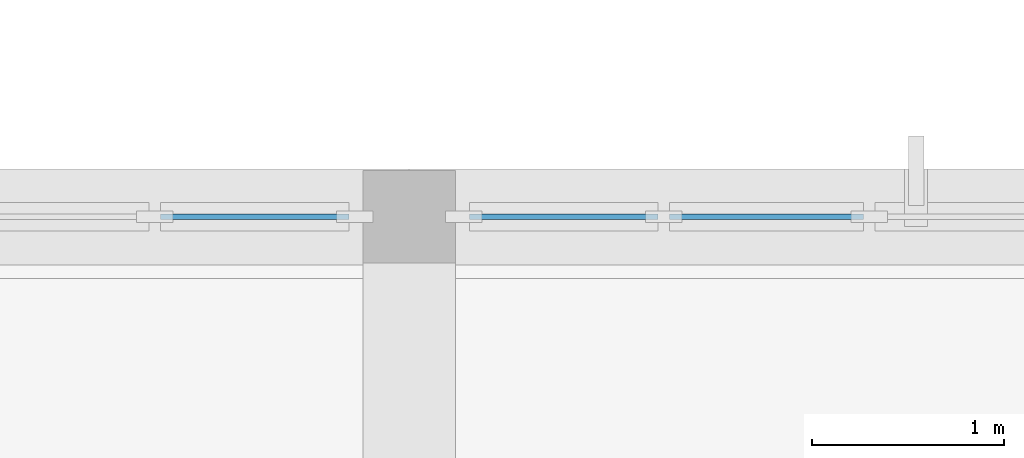
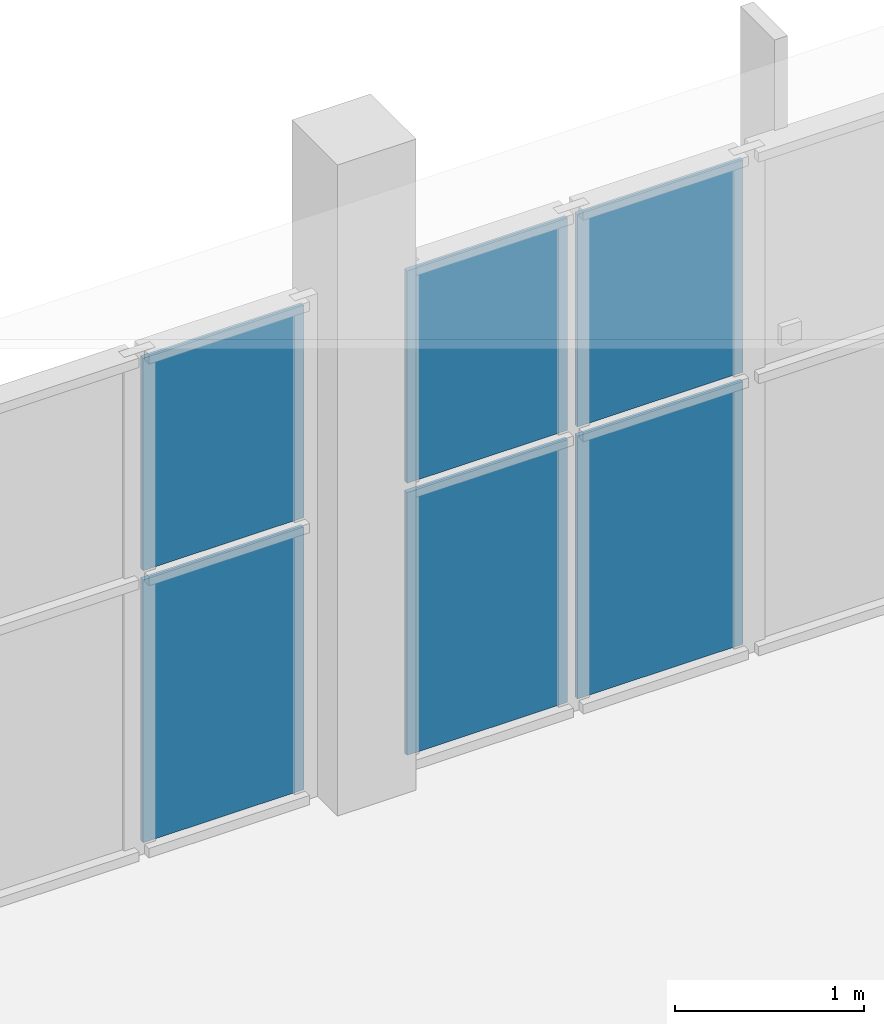
# One storey, part 43 of 70: 6 plates, 2 elements without a shape of their own.
"""IFC4 building model written with IfcOpenShell, lengths in metres."""

from ifc_helpers import new_model, si_unit, direction, frame, origin, origin_2d, place, context, subcontext, project, spatial, rectangle, extrude, material, layer, layer_set, type_object, element, aggregate, save


model = new_model("IFC4")

# Units and contexts
model_context = context("Model", 3, precision=1e-05, world=origin(), true_north=direction((0.0, 1.0)))
body_context = subcontext(model_context, "Body", "Model", "MODEL_VIEW")
ifc_project = project(units=[si_unit("LENGTHUNIT", "METRE"), si_unit("AREAUNIT", "SQUARE_METRE"), si_unit("VOLUMEUNIT", "CUBIC_METRE"), si_unit("PLANEANGLEUNIT", "RADIAN"), si_unit("MASSUNIT", "GRAM", prefix="KILO")], contexts=[model_context])

# Site, building, storey
site_placement = place(None, origin())
site = spatial("IfcSite", under=ifc_project, at=site_placement, CompositionType="ELEMENT")
building_placement = place(site_placement, origin())
building = spatial("IfcBuilding", under=site, at=building_placement, Name="Solvane Community Centre", CompositionType="ELEMENT")
storey_placement = place(building_placement, frame((0.0, 0.0, 9.60009765625)))
storey = spatial("IfcBuildingStorey", under=building, at=storey_placement, Name="L02", CompositionType="ELEMENT", Elevation=9.60009765625)

# Curtain wall, plates
ifc_material_1 = material(Name="Anodised bronze aluminium AW-6063 T6", Category="aluminium")
ifc_layer_1 = layer(ifc_material_1, 0.18994140625)
ifc_layer_set_1 = layer_set([ifc_layer_1], Name="Anodised bronze aluminium AW-6063 T6")
curtain_wall_type = type_object("IfcCurtainWallType", Name="Boulevard Bronze Vision Curtain Wall [75x32dm]", PredefinedType="NOTDEFINED", material=ifc_layer_set_1)
curtain_wall_1_placement = place(storey_placement, origin())
curtain_wall_1 = element("IfcCurtainWall", 1, at=curtain_wall_1_placement, inside=storey, type_object=curtain_wall_type, Name="Curtain Wall CW-L02-923_300-194", PredefinedType="NOTDEFINED")
ifc_material_2 = material(Name="Tempered low-E double glazing", Category="glass")
ifc_layer_2 = layer(ifc_material_2, 0.028076171875)
ifc_layer_set_2 = layer_set([ifc_layer_2], Name="Tempered low-E double glazing")
plate_type = type_object("IfcPlateType", Name="Low-E Vision Glazing Panel 28mm [75x32dm]", PredefinedType="CURTAIN_PANEL", material=ifc_layer_set_2)
plate_1_placement = place(storey_placement, frame((99.195068359375, 30.0, 0.06005859375), z_axis=(0.0, 0.0, 1.0), x_axis=(1.0, 0.0, 0.0)))
plate_1 = element("IfcPlate", 2, at=plate_1_placement, type_object=plate_type, Name="CW02-75x32 panel 7.1", PredefinedType="CURTAIN_PANEL", context=body_context, shape_type="SweptSolid", body=[
    extrude(rectangle(XDim=0.97998046875, YDim=0.028076171875, at=origin_2d()), origin(), (0.0, 0.0, 1.0), 1.695068359375),
])
plate_2_placement = place(storey_placement, frame((99.195068359375, 30.0, 1.81494140625), z_axis=(0.0, 0.0, 1.0), x_axis=(1.0, 0.0, 0.0)))
plate_2 = element("IfcPlate", 3, at=plate_2_placement, type_object=plate_type, Name="CW02-75x32 panel 7.2", PredefinedType="CURTAIN_PANEL", context=body_context, shape_type="SweptSolid", body=[
    extrude(rectangle(XDim=0.97998046875, YDim=0.028076171875, at=origin_2d()), origin(), (0.0, 0.0, 1.0), 1.3701171875),
])
aggregate(curtain_wall_1, [plate_1, plate_2])

curtain_wall_2_placement = place(storey_placement, origin())
curtain_wall_2 = element("IfcCurtainWall", 4, at=curtain_wall_2_placement, inside=storey, type_object=curtain_wall_type, Name="Curtain Wall CW-L02-1003_300-195", PredefinedType="NOTDEFINED")
plate_3_placement = place(storey_placement, frame((100.804931640625, 30.0, 0.06005859375), z_axis=(0.0, 0.0, 1.0), x_axis=(1.0, 0.0, 0.0)))
plate_3 = element("IfcPlate", 5, at=plate_3_placement, type_object=plate_type, Name="CW02-75x32 panel 1.1", PredefinedType="CURTAIN_PANEL", context=body_context, shape_type="SweptSolid", body=[
    extrude(rectangle(XDim=0.97998046875, YDim=0.028076171875, at=origin_2d()), origin(), (0.0, 0.0, 1.0), 1.695068359375),
])
plate_4_placement = place(storey_placement, frame((100.804931640625, 30.0, 1.81494140625), z_axis=(0.0, 0.0, 1.0), x_axis=(1.0, 0.0, 0.0)))
plate_4 = element("IfcPlate", 6, at=plate_4_placement, type_object=plate_type, Name="CW02-75x32 panel 1.2", PredefinedType="CURTAIN_PANEL", context=body_context, shape_type="SweptSolid", body=[
    extrude(rectangle(XDim=0.97998046875, YDim=0.028076171875, at=origin_2d()), origin(), (0.0, 0.0, 1.0), 1.3701171875),
])
plate_5_placement = place(storey_placement, frame((101.860107421875, 30.0, 0.06005859375), z_axis=(0.0, 0.0, 1.0), x_axis=(1.0, 0.0, 0.0)))
plate_5 = element("IfcPlate", 7, at=plate_5_placement, type_object=plate_type, Name="CW02-75x32 panel 2.1", PredefinedType="CURTAIN_PANEL", context=body_context, shape_type="SweptSolid", body=[
    extrude(rectangle(XDim=1.010009765625, YDim=0.028076171875, at=origin_2d()), origin(), (0.0, 0.0, 1.0), 1.695068359375),
])
plate_6_placement = place(storey_placement, frame((101.860107421875, 30.0, 1.81494140625), z_axis=(0.0, 0.0, 1.0), x_axis=(1.0, 0.0, 0.0)))
plate_6 = element("IfcPlate", 8, at=plate_6_placement, type_object=plate_type, Name="CW02-75x32 panel 2.2", PredefinedType="CURTAIN_PANEL", context=body_context, shape_type="SweptSolid", body=[
    extrude(rectangle(XDim=1.010009765625, YDim=0.028076171875, at=origin_2d()), origin(), (0.0, 0.0, 1.0), 1.3701171875),
])
aggregate(curtain_wall_2, [plate_3, plate_4, plate_5, plate_6])

save(model, "model.ifc")
